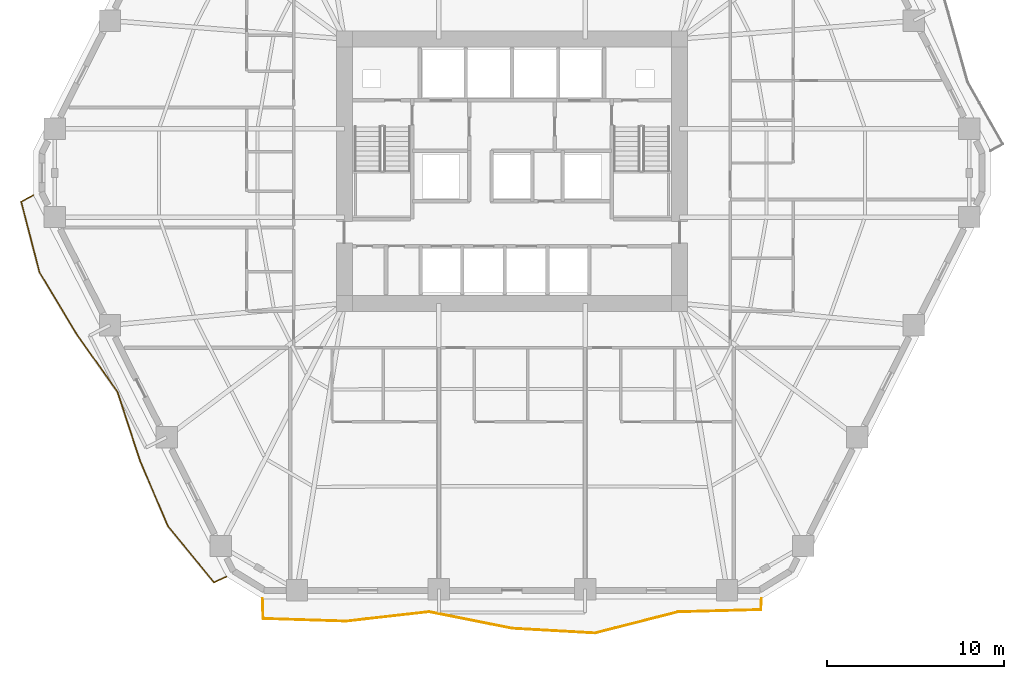
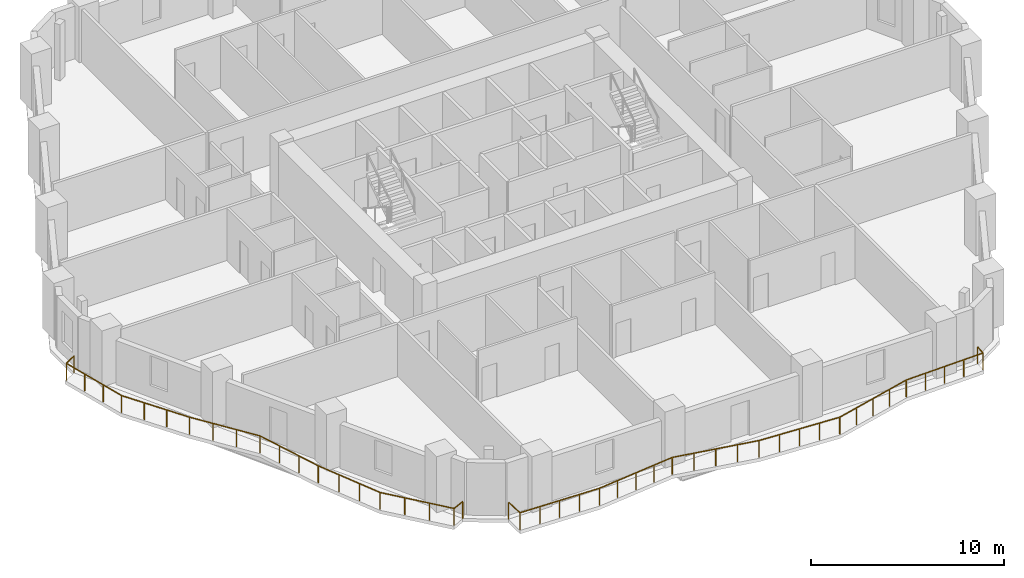
# One storey, part 9 of 11: 2 railings.
"""IFC4 building model written with IfcOpenShell, lengths in metres."""

from ifc_helpers import new_model, si_unit, direction, frame, origin, origin_2d, place, context, subcontext, project, spatial, rectangle, extrude, material, type_object, element, save


model = new_model("IFC4")

# Units and contexts
model_context = context("Model", 3, precision=1e-05, world=origin(), true_north=direction((0.0, 1.0)))
body_context = subcontext(model_context, "Body", "Model", "MODEL_VIEW")
ifc_project = project(units=[si_unit("LENGTHUNIT", "METRE"), si_unit("AREAUNIT", "SQUARE_METRE"), si_unit("VOLUMEUNIT", "CUBIC_METRE"), si_unit("PLANEANGLEUNIT", "RADIAN"), si_unit("MASSUNIT", "GRAM", prefix="KILO")], contexts=[model_context])

# Site, building, storey
site_placement = place(None, origin())
site = spatial("IfcSite", under=ifc_project, at=site_placement, CompositionType="ELEMENT")
building_placement = place(site_placement, origin())
building = spatial("IfcBuilding", under=site, at=building_placement, Name="Cinnabar Lancet Tower", CompositionType="ELEMENT")
storey_placement = place(building_placement, frame((0.0, 0.0, 42.64990234375)))
storey = spatial("IfcBuildingStorey", under=building, at=storey_placement, Name="L10", CompositionType="ELEMENT", Elevation=42.64990234375)

# Railings
ifc_material = material(Name="Laminated safety glass and bronze stainless steel balustrade", Category="steel")
railing_type = type_object("IfcRailingType", Name="ENV-RLG-BAL-1100", PredefinedType="BALUSTRADE", material=ifc_material)
railing_1_placement = place(storey_placement, frame((18.343994140625, 1.800048828125, 0.0)))
element("IfcRailing", 1, at=railing_1_placement, inside=storey, type_object=railing_type, Name="L10 Face 1 Wave Balcony Balustrade", PredefinedType="BALUSTRADE", context=body_context, shape_type="SweptSolid", body=[
    extrude(rectangle(XDim=0.048095703125, YDim=0.048095703125, at=origin_2d()), frame((0.0, 0.0, 1.076171875), z_axis=(0.030474981061, -0.999535529898, 0.0), x_axis=(0.999535529898, 0.030474981061, 0.0)), (0.0, 0.0, 1.0), 1.113525390625),
    extrude(rectangle(XDim=0.048095703125, YDim=0.048095703125, at=origin_2d()), frame((0.033935546875, -1.113037109375, 1.076171875), z_axis=(0.999499623399, -0.031630725979, 0.0), x_axis=(0.031630725979, 0.999499623399, 0.0)), (0.0, 0.0, 1.0), 4.677490234375),
    extrude(rectangle(XDim=0.048095703125, YDim=0.048095703125, at=origin_2d()), frame((4.708984375, -1.260986328125, 1.076171875), z_axis=(0.993611206949, 0.112857296732, 0.0), x_axis=(-0.112857296732, 0.993611206949, 0.0)), (0.0, 0.0, 1.0), 4.705078125),
    extrude(rectangle(XDim=0.048095703125, YDim=0.048095703125, at=origin_2d()), frame((9.384033203125, -0.72998046875, 1.076171875), z_axis=(0.980671239465, -0.195662771336, 0.0), x_axis=(0.195662771336, 0.980671239465, 0.0)), (0.0, 0.0, 1.0), 4.763916015625),
    extrude(rectangle(XDim=0.048095703125, YDim=0.048095703125, at=origin_2d()), frame((14.055908203125, -1.662109375, 1.076171875), z_axis=(0.998385478774, -0.056801723337, 0.0), x_axis=(0.056801723337, 0.998385478774, 0.0)), (0.0, 0.0, 1.0), 4.6806640625),
    extrude(rectangle(XDim=0.048095703125, YDim=0.048095703125, at=origin_2d()), frame((18.72900390625, -1.927978515625, 1.076171875), z_axis=(0.96902760163, 0.246952439306, 0.0), x_axis=(-0.246952439306, 0.96902760163, 0.0)), (0.0, 0.0, 1.0), 4.822509765625),
    extrude(rectangle(XDim=0.048095703125, YDim=0.048095703125, at=origin_2d()), frame((23.402099609375, -0.737060546875, 1.076171875), z_axis=(0.999637100715, 0.02693820472, 0.0), x_axis=(-0.02693820472, 0.999637100715, 0.0)), (0.0, 0.0, 1.0), 4.676513671875),
    extrude(rectangle(XDim=0.048095703125, YDim=0.048095703125, at=origin_2d()), frame((28.076904296875, -0.611083984375, 1.076171875), z_axis=(0.057435990209, 0.998349190929, 0.0), x_axis=(-0.998349190929, 0.057435990209, 0.0)), (0.0, 0.0, 1.0), 0.612060546875),
    extrude(rectangle(XDim=0.0419921875, YDim=0.0419921875, at=origin_2d()), origin(), (0.0, 0.0, 1.0), 1.052001953125),
    extrude(rectangle(XDim=0.0419921875, YDim=0.0419921875, at=origin_2d()), frame((0.033935546875, -1.113037109375, 0.0)), (0.0, 0.0, 1.0), 1.052001953125),
    extrude(rectangle(XDim=0.0419921875, YDim=0.0419921875, at=origin_2d()), frame((1.20263671875, -1.14990234375, 0.0)), (0.0, 0.0, 1.0), 1.052001953125),
    extrude(rectangle(XDim=0.0419921875, YDim=0.0419921875, at=origin_2d()), frame((2.37158203125, -1.18701171875, 0.0)), (0.0, 0.0, 1.0), 1.052001953125),
    extrude(rectangle(XDim=0.0419921875, YDim=0.0419921875, at=origin_2d()), frame((3.540283203125, -1.22412109375, 0.0)), (0.0, 0.0, 1.0), 1.052001953125),
    extrude(rectangle(XDim=0.0419921875, YDim=0.0419921875, at=origin_2d()), frame((4.708984375, -1.260986328125, 0.0)), (0.0, 0.0, 1.0), 1.052001953125),
    extrude(rectangle(XDim=0.0419921875, YDim=0.0419921875, at=origin_2d()), frame((5.877685546875, -1.128173828125, 0.0)), (0.0, 0.0, 1.0), 1.052001953125),
    extrude(rectangle(XDim=0.0419921875, YDim=0.0419921875, at=origin_2d()), frame((7.04638671875, -0.99560546875, 0.0)), (0.0, 0.0, 1.0), 1.052001953125),
    extrude(rectangle(XDim=0.0419921875, YDim=0.0419921875, at=origin_2d()), frame((8.21533203125, -0.86279296875, 0.0)), (0.0, 0.0, 1.0), 1.052001953125),
    extrude(rectangle(XDim=0.0419921875, YDim=0.0419921875, at=origin_2d()), frame((9.384033203125, -0.72998046875, 0.0)), (0.0, 0.0, 1.0), 1.052001953125),
    extrude(rectangle(XDim=0.0419921875, YDim=0.0419921875, at=origin_2d()), frame((10.552001953125, -0.962890625, 0.0)), (0.0, 0.0, 1.0), 1.052001953125),
    extrude(rectangle(XDim=0.0419921875, YDim=0.0419921875, at=origin_2d()), frame((11.719970703125, -1.196044921875, 0.0)), (0.0, 0.0, 1.0), 1.052001953125),
    extrude(rectangle(XDim=0.0419921875, YDim=0.0419921875, at=origin_2d()), frame((12.887939453125, -1.42919921875, 0.0)), (0.0, 0.0, 1.0), 1.052001953125),
    extrude(rectangle(XDim=0.0419921875, YDim=0.0419921875, at=origin_2d()), frame((14.055908203125, -1.662109375, 0.0)), (0.0, 0.0, 1.0), 1.052001953125),
    extrude(rectangle(XDim=0.0419921875, YDim=0.0419921875, at=origin_2d()), frame((15.22412109375, -1.728515625, 0.0)), (0.0, 0.0, 1.0), 1.052001953125),
    extrude(rectangle(XDim=0.0419921875, YDim=0.0419921875, at=origin_2d()), frame((16.392578125, -1.794921875, 0.0)), (0.0, 0.0, 1.0), 1.052001953125),
    extrude(rectangle(XDim=0.0419921875, YDim=0.0419921875, at=origin_2d()), frame((17.560791015625, -1.861572265625, 0.0)), (0.0, 0.0, 1.0), 1.052001953125),
    extrude(rectangle(XDim=0.0419921875, YDim=0.0419921875, at=origin_2d()), frame((18.72900390625, -1.927978515625, 0.0)), (0.0, 0.0, 1.0), 1.052001953125),
    extrude(rectangle(XDim=0.0419921875, YDim=0.0419921875, at=origin_2d()), frame((19.897216796875, -1.63037109375, 0.0)), (0.0, 0.0, 1.0), 1.052001953125),
    extrude(rectangle(XDim=0.0419921875, YDim=0.0419921875, at=origin_2d()), frame((21.0654296875, -1.33251953125, 0.0)), (0.0, 0.0, 1.0), 1.052001953125),
    extrude(rectangle(XDim=0.0419921875, YDim=0.0419921875, at=origin_2d()), frame((22.23388671875, -1.03466796875, 0.0)), (0.0, 0.0, 1.0), 1.052001953125),
    extrude(rectangle(XDim=0.0419921875, YDim=0.0419921875, at=origin_2d()), frame((23.402099609375, -0.737060546875, 0.0)), (0.0, 0.0, 1.0), 1.052001953125),
    extrude(rectangle(XDim=0.0419921875, YDim=0.0419921875, at=origin_2d()), frame((24.57080078125, -0.70556640625, 0.0)), (0.0, 0.0, 1.0), 1.052001953125),
    extrude(rectangle(XDim=0.0419921875, YDim=0.0419921875, at=origin_2d()), frame((25.739501953125, -0.674072265625, 0.0)), (0.0, 0.0, 1.0), 1.052001953125),
    extrude(rectangle(XDim=0.0419921875, YDim=0.0419921875, at=origin_2d()), frame((26.908203125, -0.642578125, 0.0)), (0.0, 0.0, 1.0), 1.052001953125),
    extrude(rectangle(XDim=0.0419921875, YDim=0.0419921875, at=origin_2d()), frame((28.076904296875, -0.611083984375, 0.0)), (0.0, 0.0, 1.0), 1.052001953125),
    extrude(rectangle(XDim=0.0419921875, YDim=0.0419921875, at=origin_2d()), frame((28.112060546875, 0.0, 0.0)), (0.0, 0.0, 1.0), 1.052001953125),
])
railing_2_placement = place(storey_placement, frame((5.431884765625, 24.551025390625, 0.0)))
element("IfcRailing", 2, at=railing_2_placement, inside=storey, type_object=railing_type, Name="L10 Face 6 Wave Balcony Balustrade", PredefinedType="BALUSTRADE", context=body_context, shape_type="SweptSolid", body=[
    extrude(rectangle(XDim=0.048095703125, YDim=0.048095703125, at=origin_2d()), frame((0.0, 0.0, 1.076171875), z_axis=(-0.875523048665, -0.483176356268, 0.0), x_axis=(0.483176356268, -0.875523048665, 0.0)), (0.0, 0.0, 1.0), 0.7822265625),
    extrude(rectangle(XDim=0.048095703125, YDim=0.048095703125, at=origin_2d()), frame((-0.684814453125, -0.3779296875, 1.076171875), z_axis=(0.2503424229, -0.968157358747, 0.0), x_axis=(0.968157358747, 0.2503424229, 0.0)), (0.0, 0.0, 1.0), 4.101806640625),
    extrude(rectangle(XDim=0.048095703125, YDim=0.048095703125, at=origin_2d()), frame((0.342041015625, -4.34912109375, 1.076171875), z_axis=(0.514933718261, -0.857229995858, 0.0), x_axis=(0.857229995858, 0.514933718261, 0.0)), (0.0, 0.0, 1.0), 4.016357421875),
    extrude(rectangle(XDim=0.048095703125, YDim=0.048095703125, at=origin_2d()), frame((2.41015625, -7.7919921875, 1.076171875), z_axis=(0.576057947062, -0.8174088583, 0.0), x_axis=(0.8174088583, 0.576057947062, 0.0)), (0.0, 0.0, 1.0), 4.04833984375),
    extrude(rectangle(XDim=0.048095703125, YDim=0.048095703125, at=origin_2d()), frame((4.7421875, -11.10107421875, 1.076171875), z_axis=(0.311198365077, -0.950344978191, 0.0), x_axis=(0.950344978191, 0.311198365077, 0.0)), (0.0, 0.0, 1.0), 4.052001953125),
    extrude(rectangle(XDim=0.048095703125, YDim=0.048095703125, at=origin_2d()), frame((6.003173828125, -14.951904296875, 1.076171875), z_axis=(0.391600054938, -0.92013553185, 0.0), x_axis=(0.92013553185, 0.391600054938, 0.0)), (0.0, 0.0, 1.0), 4.016845703125),
    extrude(rectangle(XDim=0.048095703125, YDim=0.048095703125, at=origin_2d()), frame((7.576171875, -18.64794921875, 1.076171875), z_axis=(0.634238213302, -0.773137690704, 0.0), x_axis=(0.773137690704, 0.634238213302, 0.0)), (0.0, 0.0, 1.0), 4.104248046875),
    extrude(rectangle(XDim=0.048095703125, YDim=0.048095703125, at=origin_2d()), frame((10.17919921875, -21.821044921875, 1.076171875), z_axis=(0.910127484829, 0.414328325556, 0.0), x_axis=(-0.414328325556, 0.910127484829, 0.0)), (0.0, 0.0, 1.0), 0.770263671875),
    extrude(rectangle(XDim=0.0419921875, YDim=0.0419921875, at=origin_2d()), origin(), (0.0, 0.0, 1.0), 1.052001953125),
    extrude(rectangle(XDim=0.0419921875, YDim=0.0419921875, at=origin_2d()), frame((-0.684814453125, -0.3779296875, 0.0)), (0.0, 0.0, 1.0), 1.052001953125),
    extrude(rectangle(XDim=0.0419921875, YDim=0.0419921875, at=origin_2d()), frame((-0.342529296875, -1.70166015625, 0.0)), (0.0, 0.0, 1.0), 1.052001953125),
    extrude(rectangle(XDim=0.0419921875, YDim=0.0419921875, at=origin_2d()), frame((-0.000244140625, -3.025390625, 0.0)), (0.0, 0.0, 1.0), 1.052001953125),
    extrude(rectangle(XDim=0.0419921875, YDim=0.0419921875, at=origin_2d()), frame((0.342041015625, -4.34912109375, 0.0)), (0.0, 0.0, 1.0), 1.052001953125),
    extrude(rectangle(XDim=0.0419921875, YDim=0.0419921875, at=origin_2d()), frame((1.031494140625, -5.496826171875, 0.0)), (0.0, 0.0, 1.0), 1.052001953125),
    extrude(rectangle(XDim=0.0419921875, YDim=0.0419921875, at=origin_2d()), frame((1.720703125, -6.644287109375, 0.0)), (0.0, 0.0, 1.0), 1.052001953125),
    extrude(rectangle(XDim=0.0419921875, YDim=0.0419921875, at=origin_2d()), frame((2.41015625, -7.7919921875, 0.0)), (0.0, 0.0, 1.0), 1.052001953125),
    extrude(rectangle(XDim=0.0419921875, YDim=0.0419921875, at=origin_2d()), frame((3.1875, -8.89501953125, 0.0)), (0.0, 0.0, 1.0), 1.052001953125),
    extrude(rectangle(XDim=0.0419921875, YDim=0.0419921875, at=origin_2d()), frame((3.96484375, -9.998046875, 0.0)), (0.0, 0.0, 1.0), 1.052001953125),
    extrude(rectangle(XDim=0.0419921875, YDim=0.0419921875, at=origin_2d()), frame((4.7421875, -11.10107421875, 0.0)), (0.0, 0.0, 1.0), 1.052001953125),
    extrude(rectangle(XDim=0.0419921875, YDim=0.0419921875, at=origin_2d()), frame((5.16259765625, -12.384765625, 0.0)), (0.0, 0.0, 1.0), 1.052001953125),
    extrude(rectangle(XDim=0.0419921875, YDim=0.0419921875, at=origin_2d()), frame((5.582763671875, -13.668212890625, 0.0)), (0.0, 0.0, 1.0), 1.052001953125),
    extrude(rectangle(XDim=0.0419921875, YDim=0.0419921875, at=origin_2d()), frame((6.003173828125, -14.951904296875, 0.0)), (0.0, 0.0, 1.0), 1.052001953125),
    extrude(rectangle(XDim=0.0419921875, YDim=0.0419921875, at=origin_2d()), frame((6.527587890625, -16.183837890625, 0.0)), (0.0, 0.0, 1.0), 1.052001953125),
    extrude(rectangle(XDim=0.0419921875, YDim=0.0419921875, at=origin_2d()), frame((7.0517578125, -17.416015625, 0.0)), (0.0, 0.0, 1.0), 1.052001953125),
    extrude(rectangle(XDim=0.0419921875, YDim=0.0419921875, at=origin_2d()), frame((7.576171875, -18.64794921875, 0.0)), (0.0, 0.0, 1.0), 1.052001953125),
    extrude(rectangle(XDim=0.0419921875, YDim=0.0419921875, at=origin_2d()), frame((8.44384765625, -19.70556640625, 0.0)), (0.0, 0.0, 1.0), 1.052001953125),
    extrude(rectangle(XDim=0.0419921875, YDim=0.0419921875, at=origin_2d()), frame((9.3115234375, -20.763427734375, 0.0)), (0.0, 0.0, 1.0), 1.052001953125),
    extrude(rectangle(XDim=0.0419921875, YDim=0.0419921875, at=origin_2d()), frame((10.17919921875, -21.821044921875, 0.0)), (0.0, 0.0, 1.0), 1.052001953125),
    extrude(rectangle(XDim=0.0419921875, YDim=0.0419921875, at=origin_2d()), frame((10.880126953125, -21.501953125, 0.0)), (0.0, 0.0, 1.0), 1.052001953125),
])

save(model, "model.ifc")
